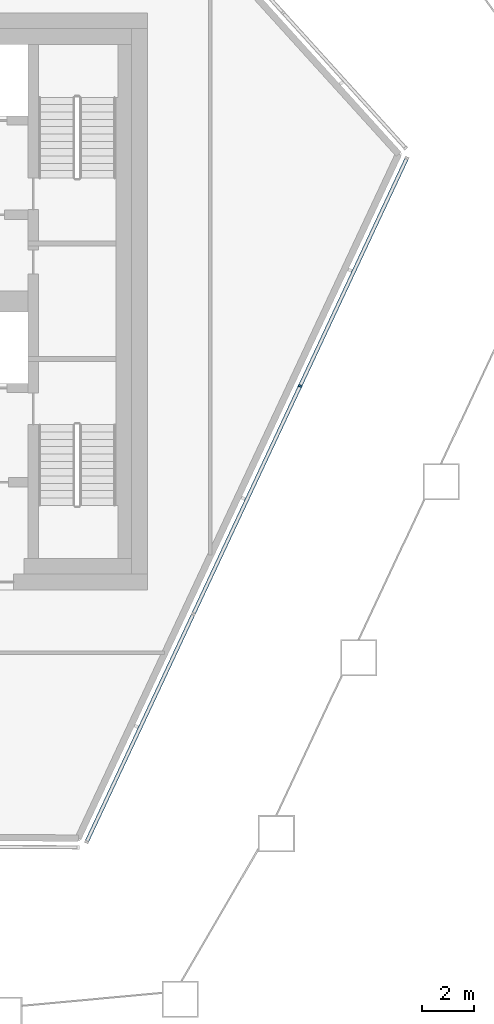
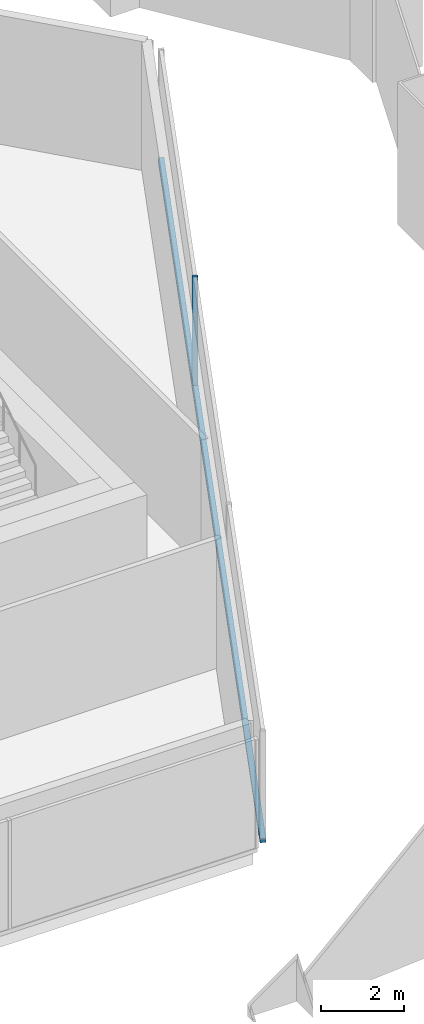
# One storey, part 4 of 18: 2 members, 1 element without a shape of its own.
"""IFC4 building model written with IfcOpenShell, lengths in metres."""

from ifc_helpers import new_model, si_unit, direction, frame, origin, origin_2d, place, context, subcontext, project, spatial, rectangle, extrude, material, layer, layer_set, material_profile, profile_set, type_object, element, aggregate, save


model = new_model("IFC4")

# Units and contexts
model_context = context("Model", 3, precision=1e-05, world=origin(), true_north=direction((0.0, 1.0)))
body_context = subcontext(model_context, "Body", "Model", "MODEL_VIEW")
ifc_project = project(units=[si_unit("LENGTHUNIT", "METRE"), si_unit("AREAUNIT", "SQUARE_METRE"), si_unit("VOLUMEUNIT", "CUBIC_METRE"), si_unit("PLANEANGLEUNIT", "RADIAN"), si_unit("MASSUNIT", "GRAM", prefix="KILO")], contexts=[model_context])

# Site, building, storey
site_placement = place(None, origin())
site = spatial("IfcSite", under=ifc_project, at=site_placement, CompositionType="ELEMENT")
building_placement = place(site_placement, origin())
building = spatial("IfcBuilding", under=site, at=building_placement, Name="Dongbaek Canopy Tower", CompositionType="ELEMENT")
storey_placement = place(building_placement, frame((0.0, 0.0, 367.39990234375)))
storey = spatial("IfcBuildingStorey", under=building, at=storey_placement, Name="L79", CompositionType="ELEMENT", Elevation=367.39990234375)

# Curtain wall, members
ifc_material_1 = material(Name="Aluminium 6063-T6 pale anodised", Category="aluminium")
ifc_layer = layer(ifc_material_1, 0.14990234375)
ifc_layer_set = layer_set([ifc_layer], Name="CW-7 louvre curtain wall")
curtain_wall_type = type_object("IfcCurtainWallType", Name="CW-7 louvre curtain wall", PredefinedType="NOTDEFINED", material=ifc_layer_set)
curtain_wall_placement = place(storey_placement, origin())
curtain_wall = element("IfcCurtainWall", 1, at=curtain_wall_placement, inside=storey, type_object=curtain_wall_type, Name="CW-7 louvre wall L79 F1", PredefinedType="NOTDEFINED")
ifc_material_2 = material(Name="Aluminium 6063-T6 pale anodised", Category="aluminium")
ifc_material_profile_1 = material_profile(ifc_material_2, rectangle(XDim=0.14990234375, YDim=0.080078125, at=origin_2d()), Name="CW-7 mullion 80 x 150")
ifc_profile_set_1 = profile_set([ifc_material_profile_1], Name="Aluminium 6063-T6 pale anodised")
member_type_1 = type_object("IfcMemberType", Name="CW-7 mullion 80 x 150", PredefinedType="MULLION", material=ifc_profile_set_1)
member_1_placement = place(storey_placement, frame((19.827880859375, -3.228759765625, 0.300048828125), z_axis=(0.0, 0.0, 1.0), x_axis=(0.905604659029, -0.42412286138, 0.0)))
member_1 = element("IfcMember", 2, at=member_1_placement, type_object=member_type_1, Name="CW-7 mullion L79 F1.1.3", PredefinedType="MULLION", context=body_context, shape_type="SweptSolid", body=[
    extrude(rectangle(XDim=0.14990234375, YDim=0.080078125, at=origin_2d()), origin(), (0.0, 0.0, 1.0), 3.199951171875),
])
ifc_material_3 = material(Name="Aluminium 6063-T6 pale anodised", Category="aluminium")
ifc_material_profile_2 = material_profile(ifc_material_3, rectangle(XDim=0.14990234375, YDim=0.1201171875, at=origin_2d()), Name="CW-7 transom 120 x 150")
ifc_profile_set_2 = profile_set([ifc_material_profile_2], Name="Aluminium 6063-T6 pale anodised")
member_type_2 = type_object("IfcMemberType", Name="CW-7 transom 120 x 150", PredefinedType="USERDEFINED", material=ifc_profile_set_2)
member_2_placement = place(storey_placement, frame((11.684326171875, -20.6171875, 0.239990234375), z_axis=(0.424125024155, 0.905603646131, 0.0), x_axis=(-0.905603646131, 0.424125024155, 0.0)))
member_2 = element("IfcMember", 3, at=member_2_placement, type_object=member_type_2, Name="CW-7 transom L79 F1.1", ObjectType="TRANSOM", PredefinedType="USERDEFINED", context=body_context, shape_type="SweptSolid", body=[
    extrude(rectangle(XDim=0.14990234375, YDim=0.1201171875, at=origin_2d()), origin(), (0.0, 0.0, 1.0), 28.80126953125),
])
aggregate(curtain_wall, [member_2, member_1])

save(model, "model.ifc")
